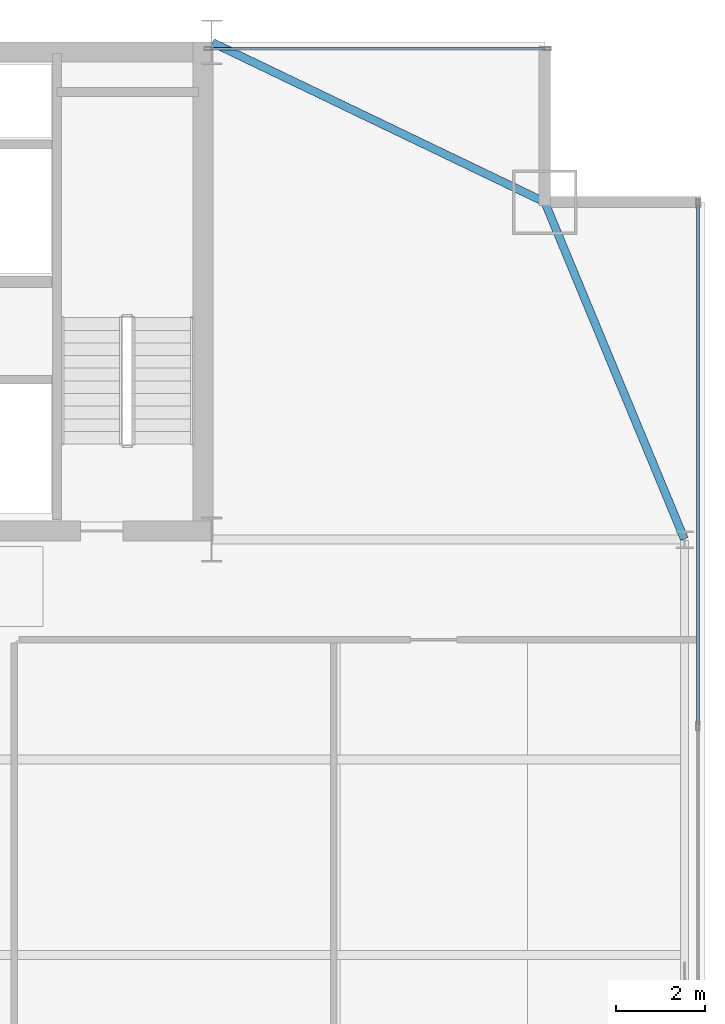
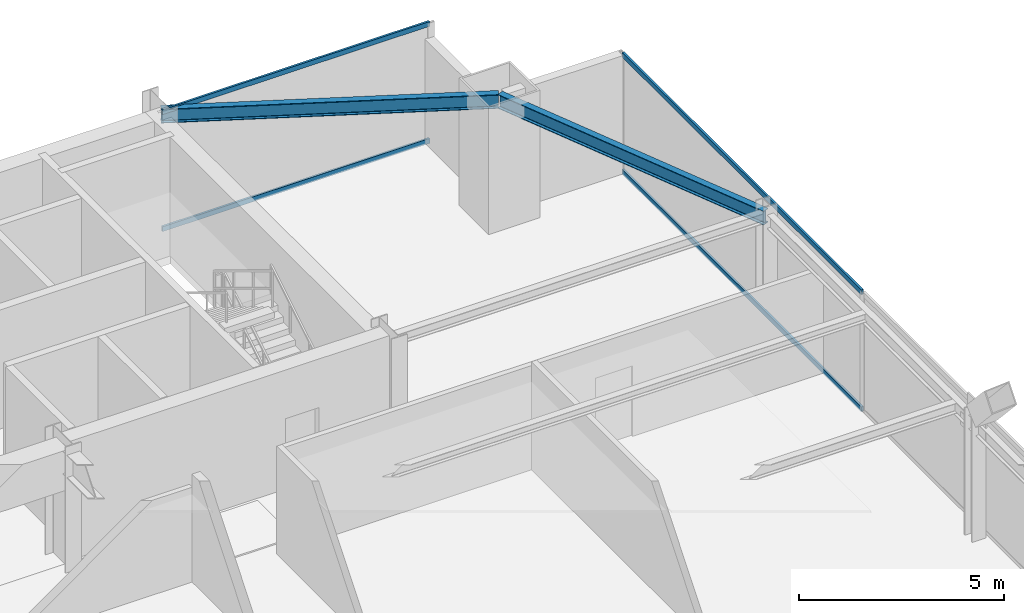
# One storey, part 25 of 37: 4 members, 2 beams, 2 elements without a shape of their own.
"""IFC4 building model written with IfcOpenShell, lengths in metres."""

from ifc_helpers import new_model, si_unit, direction, frame, origin, origin_2d, place, context, subcontext, project, spatial, hollow_rectangle, i_section, extrude, source, transform, mapped, material, layer, layer_set, material_profile, profile_set, type_object, type_shapes, element, aggregate, save


model = new_model("IFC4")

# Units and contexts
model_context = context("Model", 3, precision=1e-05, world=origin(), true_north=direction((0.0, 1.0)))
body_context = subcontext(model_context, "Body", "Model", "MODEL_VIEW")
ifc_project = project(units=[si_unit("LENGTHUNIT", "METRE"), si_unit("AREAUNIT", "SQUARE_METRE"), si_unit("VOLUMEUNIT", "CUBIC_METRE"), si_unit("PLANEANGLEUNIT", "RADIAN"), si_unit("MASSUNIT", "GRAM", prefix="KILO")], contexts=[model_context])

# Site, building, storey
site_placement = place(None, origin())
site = spatial("IfcSite", under=ifc_project, at=site_placement, CompositionType="ELEMENT")
building_placement = place(site_placement, origin())
building = spatial("IfcBuilding", under=site, at=building_placement, Name="Varnel Quay Broadcast Tower", CompositionType="ELEMENT")
storey_placement = place(building_placement, frame((0.0, 0.0, 125.800048828125)))
storey = spatial("IfcBuildingStorey", under=building, at=storey_placement, Name="L30", CompositionType="ELEMENT", Elevation=125.800048828125)

# Beams
ifc_material_1 = material(Name="Structural Steel CSA G40.21 350W", Category="steel")
ifc_material_profile_1 = material_profile(ifc_material_1, i_section(OverallWidth=0.180908203125, OverallDepth=0.4169921875, WebThickness=0.010986328125, FlangeThickness=0.018310546875, FilletRadius=0.011962890625, at=origin_2d()), Name="W410X85")
ifc_profile_set_1 = profile_set([ifc_material_profile_1], Name="Structural Steel CSA G40.21 350W")
beam_type = type_object("IfcBeamType", Name="Beam_W410X85", PredefinedType="SPANDREL", material=ifc_profile_set_1)
shared_shape_1 = source(origin(), body_context, "Body", "SweptSolid", [
    extrude(i_section(OverallWidth=0.180908203125, OverallDepth=0.4169921875, WebThickness=0.010986328125, FlangeThickness=0.018310546875, FilletRadius=0.011962890625, at=origin_2d()), origin(), (0.0, 0.0, 1.0), 8.186767578125),
])
beam_1_placement = place(storey_placement, frame((63.042236328125, 35.618408203125, 3.341552734375), z_axis=(-0.382874132092, 0.923800519038, 0.0), x_axis=(-0.923800519038, -0.382874132092, 0.0)))
element("IfcBeam", 1, at=beam_1_placement, inside=storey, type_object=beam_type, Name="L30 East Spandrel TC-E3-MC-NE", PredefinedType="SPANDREL", context=body_context, shape_type="MappedRepresentation", body=[
    mapped(shared_shape_1, transform((0.0, 0.0, 0.0), x_axis=(1.0, 0.0, 0.0), y_axis=(0.0, 1.0, 0.0), z_axis=(0.0, 0.0, 1.0), scale=1.0)),
])
shared_shape_2 = source(origin(), body_context, "Body", "SweptSolid", [
    extrude(i_section(OverallWidth=0.180908203125, OverallDepth=0.4169921875, WebThickness=0.010986328125, FlangeThickness=0.018310546875, FilletRadius=0.011962890625, at=origin_2d()), origin(), (0.0, 0.0, 1.0), 8.279296875),
])
type_shapes(beam_type, [shared_shape_1, shared_shape_2])
beam_2_placement = place(storey_placement, frame((52.41796875, 46.791259765625, 3.341552734375), z_axis=(0.901535021024, -0.432706142626, 0.0), x_axis=(0.432706142626, 0.901535021024, 0.0)))
element("IfcBeam", 2, at=beam_2_placement, inside=storey, type_object=beam_type, Name="L30 NE Tie Spandrel", PredefinedType="SPANDREL", context=body_context, shape_type="MappedRepresentation", body=[
    mapped(shared_shape_2, transform((0.0, 0.0, 0.0), x_axis=(1.0, 0.0, 0.0), y_axis=(0.0, 1.0, 0.0), z_axis=(0.0, 0.0, 1.0), scale=1.0)),
])

# Curtain wall, members
ifc_material_2 = material(Name="Anodised Bronze Aluminium 6063-T6", Category="aluminium")
ifc_layer = layer(ifc_material_2, 0.18994140625, Name="Anodised Bronze Aluminium 6063-T6")
ifc_layer_set = layer_set([ifc_layer], Name="Anodised Bronze Aluminium 6063-T6")
curtain_wall_type = type_object("IfcCurtainWallType", Name="CW_LowerTower", PredefinedType="NOTDEFINED", material=ifc_layer_set)
curtain_wall_1_placement = place(storey_placement, origin())
curtain_wall_1 = element("IfcCurtainWall", 3, at=curtain_wall_1_placement, inside=storey, type_object=curtain_wall_type, Name="L30 East Unitised Curtain Wall", PredefinedType="NOTDEFINED")
ifc_material_profile_2 = material_profile(ifc_material_2, hollow_rectangle(XDim=0.06005859375, YDim=0.14501953125, WallThickness=0.00341796875, at=origin_2d()), Name="ALU60X145X3.5")
ifc_profile_set_2 = profile_set([ifc_material_profile_2], Name="Anodised Bronze Aluminium 6063-T6")
member_type = type_object("IfcMemberType", Name="Tran_CWS-02", PredefinedType="USERDEFINED", material=ifc_profile_set_2)
shared_shape_3 = source(origin(), body_context, "Body", "SweptSolid", [
    extrude(hollow_rectangle(XDim=0.06005859375, YDim=0.14501953125, WallThickness=0.00341796875, at=origin_2d()), origin(), (0.0, 0.0, 1.0), 11.69482421875),
])
member_1_placement = place(storey_placement, frame((63.35009765625, 31.43505859375, 0.030029296875), z_axis=(0.0, 1.0, 0.0), x_axis=(-1.0, 0.0, 0.0)))
member_1 = element("IfcMember", 4, at=member_1_placement, type_object=member_type, Name="CWS-02 transom 3.1", ObjectType="TRANSOM", PredefinedType="USERDEFINED", context=body_context, shape_type="MappedRepresentation", body=[
    mapped(shared_shape_3, transform((0.0, 0.0, 0.0), x_axis=(1.0, 0.0, 0.0), y_axis=(0.0, 1.0, 0.0), z_axis=(0.0, 0.0, 1.0), scale=1.0)),
])
member_2_placement = place(storey_placement, frame((63.35009765625, 31.43505859375, 3.52001953125), z_axis=(0.0, 1.0, 0.0), x_axis=(-1.0, 0.0, 0.0)))
member_2 = element("IfcMember", 5, at=member_2_placement, type_object=member_type, Name="CWS-02 transom 3.2", ObjectType="TRANSOM", PredefinedType="USERDEFINED", context=body_context, shape_type="MappedRepresentation", body=[
    mapped(shared_shape_3, transform((0.0, 0.0, 0.0), x_axis=(1.0, 0.0, 0.0), y_axis=(0.0, 1.0, 0.0), z_axis=(0.0, 0.0, 1.0), scale=1.0)),
])
aggregate(curtain_wall_1, [member_1, member_2])

curtain_wall_2_placement = place(storey_placement, origin())
curtain_wall_2 = element("IfcCurtainWall", 6, at=curtain_wall_2_placement, inside=storey, type_object=curtain_wall_type, Name="L30 NE Wing Curtain Wall", PredefinedType="NOTDEFINED")
shared_shape_4 = source(origin(), body_context, "Body", "SweptSolid", [
    extrude(hollow_rectangle(XDim=0.06005859375, YDim=0.14501953125, WallThickness=0.00341796875, at=origin_2d()), origin(), (0.0, 0.0, 1.0), 7.539794921875),
])
type_shapes(member_type, [shared_shape_3, shared_shape_4])
member_3_placement = place(storey_placement, frame((52.3701171875, 46.64990234375, 0.030029296875), z_axis=(1.0, 0.0, 0.0), x_axis=(0.0, 1.0, 0.0)))
member_3 = element("IfcMember", 7, at=member_3_placement, type_object=member_type, Name="CWS-02 transom 1.1", ObjectType="TRANSOM", PredefinedType="USERDEFINED", context=body_context, shape_type="MappedRepresentation", body=[
    mapped(shared_shape_4, transform((0.0, 0.0, 0.0), x_axis=(1.0, 0.0, 0.0), y_axis=(0.0, 1.0, 0.0), z_axis=(0.0, 0.0, 1.0), scale=1.0)),
])
member_4_placement = place(storey_placement, frame((52.3701171875, 46.64990234375, 3.52001953125), z_axis=(1.0, 0.0, 0.0), x_axis=(0.0, 1.0, 0.0)))
member_4 = element("IfcMember", 8, at=member_4_placement, type_object=member_type, Name="CWS-02 transom 1.2", ObjectType="TRANSOM", PredefinedType="USERDEFINED", context=body_context, shape_type="MappedRepresentation", body=[
    mapped(shared_shape_4, transform((0.0, 0.0, 0.0), x_axis=(1.0, 0.0, 0.0), y_axis=(0.0, 1.0, 0.0), z_axis=(0.0, 0.0, 1.0), scale=1.0)),
])
aggregate(curtain_wall_2, [member_3, member_4])

save(model, "model.ifc")
